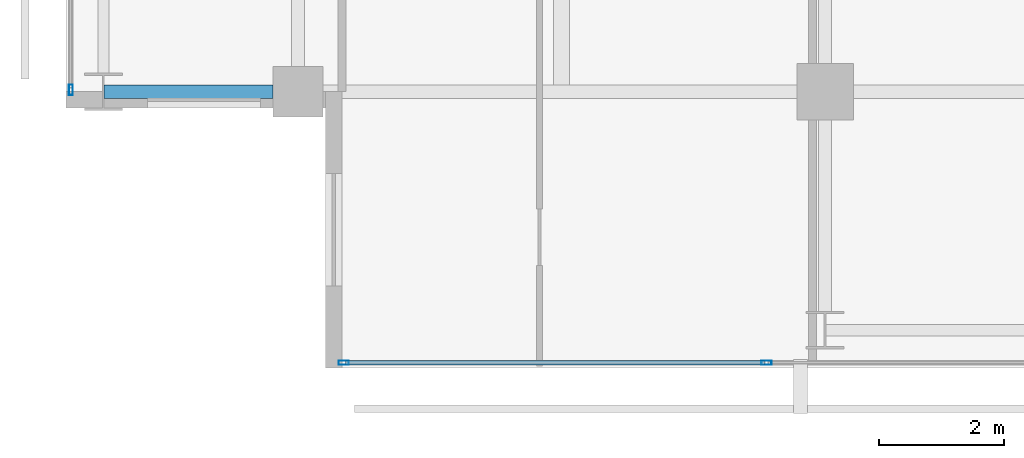
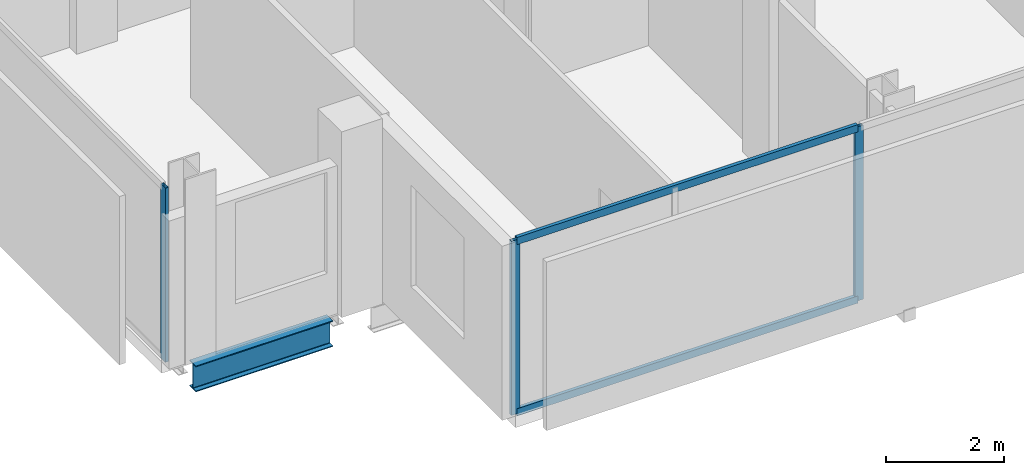
# One storey, part 2 of 34: 5 members, 1 beam, 2 elements without a shape of their own.
"""IFC4 building model written with IfcOpenShell, lengths in metres."""

from ifc_helpers import new_model, si_unit, direction, frame, origin, origin_2d, place, context, subcontext, project, spatial, hollow_rectangle, i_section, extrude, material, layer, layer_set, material_profile, profile_set, type_object, element, aggregate, save


model = new_model("IFC4")

# Units and contexts
model_context = context("Model", 3, precision=1e-05, world=origin(), true_north=direction((0.0, 1.0)))
body_context = subcontext(model_context, "Body", "Model", "MODEL_VIEW")
ifc_project = project(units=[si_unit("LENGTHUNIT", "METRE"), si_unit("AREAUNIT", "SQUARE_METRE"), si_unit("VOLUMEUNIT", "CUBIC_METRE"), si_unit("PLANEANGLEUNIT", "RADIAN"), si_unit("MASSUNIT", "GRAM", prefix="KILO")], contexts=[model_context])

# Site, building, storey
site_placement = place(None, origin())
site = spatial("IfcSite", under=ifc_project, at=site_placement, CompositionType="ELEMENT")
building_placement = place(site_placement, origin())
building = spatial("IfcBuilding", under=site, at=building_placement, Name="Maruvema Waterfront Hotel and Observation Tower", CompositionType="ELEMENT")
storey_placement = place(building_placement, frame((0.0, 0.0, 212.10009765625)))
storey = spatial("IfcBuildingStorey", under=building, at=storey_placement, Name="L52", CompositionType="ELEMENT", Elevation=212.10009765625)

# Curtain wall, members
ifc_material_1 = material(Name="Anodised bronze aluminium and solar-control low-E IGU", Category="aluminium")
ifc_layer = layer(ifc_material_1, 0.159912109375, Name="Zone 2 Amber Inner Thermal Curtain Wall System CW-03")
ifc_layer_set = layer_set([ifc_layer], Name="Anodised bronze aluminium and solar-control low-E IGU")
curtain_wall_type = type_object("IfcCurtainWallType", Name="Zone 2 Amber Inner Thermal Curtain Wall System CW-03", PredefinedType="USERDEFINED", material=ifc_layer_set)
curtain_wall_1_placement = place(storey_placement, origin())
curtain_wall_1 = element("IfcCurtainWall", 1, at=curtain_wall_1_placement, inside=storey, type_object=curtain_wall_type, Name="L52 Curtain Wall CW-L52-S", ObjectType="UNITISED CURTAIN WALL", PredefinedType="USERDEFINED")
ifc_material_2 = material(Name="Anodised architectural bronze aluminium", Category="aluminium")
ifc_material_profile_1 = material_profile(ifc_material_2, hollow_rectangle(XDim=0.070068359375, YDim=0.14990234375, WallThickness=0.00390625, at=origin_2d()), Name="ALU-T70x150")
ifc_profile_set_1 = profile_set([ifc_material_profile_1], Name="Anodised architectural bronze aluminium")
member_type_1 = type_object("IfcMemberType", Name="Curtain Wall Horizontal Transom ALU-T70x150", PredefinedType="USERDEFINED", material=ifc_profile_set_1)
member_1_placement = place(storey_placement, frame((17.56005859375, 4.679931640625, 0.02978515625), z_axis=(1.0, 0.0, 0.0), x_axis=(0.0, 1.0, 0.0)))
member_1 = element("IfcMember", 2, at=member_1_placement, type_object=member_type_1, Name="CW-03 transom 1.1", ObjectType="TRANSOM", PredefinedType="USERDEFINED", context=body_context, shape_type="SweptSolid", body=[
    extrude(hollow_rectangle(XDim=0.070068359375, YDim=0.14990234375, WallThickness=0.00390625, at=origin_2d()), origin(), (0.0, 0.0, 1.0), 6.676513671875),
])
member_2_placement = place(storey_placement, frame((17.56005859375, 4.679931640625, 3.579833984375), z_axis=(1.0, 0.0, 0.0), x_axis=(0.0, 1.0, 0.0)))
member_2 = element("IfcMember", 3, at=member_2_placement, type_object=member_type_1, Name="CW-03 transom 1.2", ObjectType="TRANSOM", PredefinedType="USERDEFINED", context=body_context, shape_type="SweptSolid", body=[
    extrude(hollow_rectangle(XDim=0.070068359375, YDim=0.14990234375, WallThickness=0.00390625, at=origin_2d()), origin(), (0.0, 0.0, 1.0), 6.676513671875),
])
ifc_material_3 = material(Name="Anodised architectural bronze aluminium", Category="aluminium")
ifc_material_profile_2 = material_profile(ifc_material_3, hollow_rectangle(XDim=0.06494140625, YDim=0.1650390625, WallThickness=0.00390625, at=origin_2d()), Name="ALU-M65x165")
ifc_profile_set_2 = profile_set([ifc_material_profile_2], Name="Anodised architectural bronze aluminium")
member_type_2 = type_object("IfcMemberType", Name="Curtain Wall Primary Mullion ALU-M65x165", PredefinedType="MULLION", material=ifc_profile_set_2)
member_3_placement = place(storey_placement, frame((17.530029296875, 4.679931640625, 0.0), z_axis=(0.0, 0.0, 1.0), x_axis=(0.0, 1.0, 0.0)))
member_3 = element("IfcMember", 4, at=member_3_placement, type_object=member_type_2, Name="CW-03 mullion 1", PredefinedType="MULLION", context=body_context, shape_type="SweptSolid", body=[
    extrude(hollow_rectangle(XDim=0.06494140625, YDim=0.1650390625, WallThickness=0.00390625, at=origin_2d()), origin(), (0.0, 0.0, 1.0), 3.60986328125),
])
member_4_placement = place(storey_placement, frame((24.2666015625, 4.679931640625, 0.0), z_axis=(0.0, 0.0, 1.0), x_axis=(0.0, 1.0, 0.0)))
member_4 = element("IfcMember", 5, at=member_4_placement, type_object=member_type_2, Name="CW-03 mullion 2", PredefinedType="MULLION", context=body_context, shape_type="SweptSolid", body=[
    extrude(hollow_rectangle(XDim=0.06494140625, YDim=0.1650390625, WallThickness=0.00390625, at=origin_2d()), origin(), (0.0, 0.0, 1.0), 3.60986328125),
])
aggregate(curtain_wall_1, [member_3, member_4, member_1, member_2])

# Curtain wall, member
curtain_wall_2_placement = place(storey_placement, origin())
curtain_wall_2 = element("IfcCurtainWall", 6, at=curtain_wall_2_placement, inside=storey, type_object=curtain_wall_type, Name="L52 Curtain Wall CW-L52-W", ObjectType="UNITISED CURTAIN WALL", PredefinedType="USERDEFINED")
member_5_placement = place(storey_placement, frame((13.179931640625, 9.030029296875, 0.0), z_axis=(0.0, 0.0, 1.0), x_axis=(1.0, 0.0, 0.0)))
member_5 = element("IfcMember", 7, at=member_5_placement, type_object=member_type_2, Name="CW-03 mullion 7", PredefinedType="MULLION", context=body_context, shape_type="SweptSolid", body=[
    extrude(hollow_rectangle(XDim=0.06494140625, YDim=0.1650390625, WallThickness=0.00390625, at=origin_2d()), origin(), (0.0, 0.0, 1.0), 3.60986328125),
])
aggregate(curtain_wall_2, [member_5])

# Beam
ifc_material_4 = material(Name="Steel ASTM A572 Grade 50", Category="steel")
ifc_material_profile_3 = material_profile(ifc_material_4, i_section(OverallWidth=0.2109375, OverallDepth=0.5390625, WebThickness=0.01171875, FlangeThickness=0.018798828125, FilletRadius=0.014892578125, at=origin_2d()), Name="W530x109.0")
ifc_profile_set_3 = profile_set([ifc_material_profile_3], Name="Steel ASTM A572 Grade 50")
beam_type = type_object("IfcBeamType", Name="Primary Floor Girder W530x109.0", PredefinedType="BEAM", material=ifc_profile_set_3)
beam_placement = place(storey_placement, frame((13.71240234375, 9.0, -0.509521484375), z_axis=(1.0, 0.0, 0.0), x_axis=(0.0, 1.0, 0.0)))
element("IfcBeam", 8, at=beam_placement, inside=storey, type_object=beam_type, Name="L52 Floor Girder EW-04", PredefinedType="BEAM", context=body_context, shape_type="SweptSolid", body=[
    extrude(i_section(OverallWidth=0.2109375, OverallDepth=0.5390625, WebThickness=0.01171875, FlangeThickness=0.018798828125, FilletRadius=0.014892578125, at=origin_2d()), origin(), (0.0, 0.0, 1.0), 2.6875),
])

save(model, "model.ifc")
